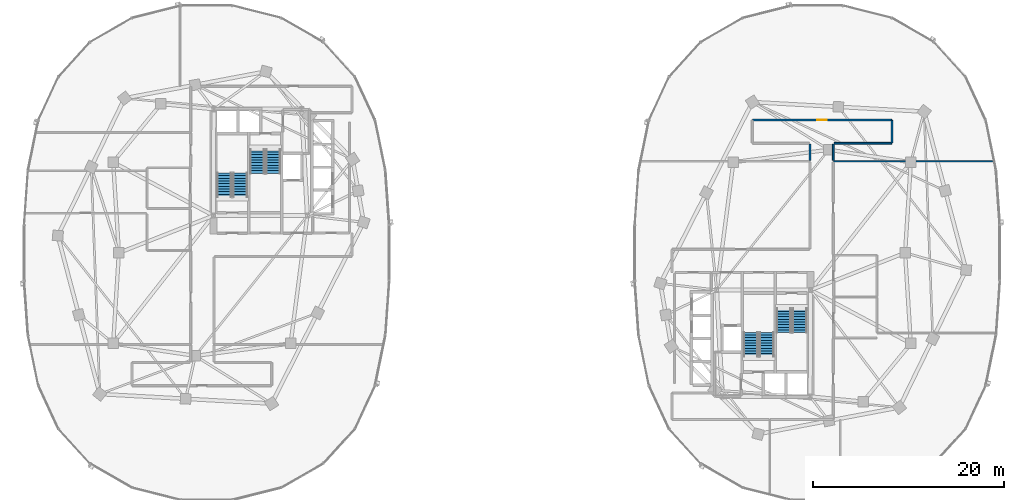
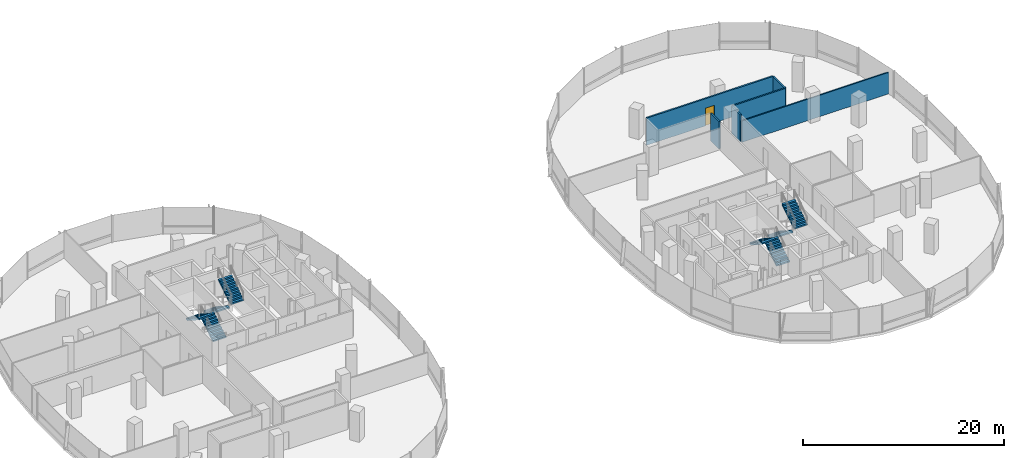
# One storey, part 14 of 21: 8 stair flights, 6 walls, 1 door, 1 opening, 4 elements without a shape of their own.
"""IFC4 building model written with IfcOpenShell, lengths in metres."""

from ifc_helpers import new_model, si_unit, direction, frame, frame_2d, origin, place, context, subcontext, project, spatial, polyline, rectangle, outline, extrude, material, layer, layer_set, type_object, element, fill, aggregate, save


model = new_model("IFC4")

# Units and contexts
model_context = context("Model", 3, precision=1e-05, world=origin(), true_north=direction((0.0, 1.0)))
body_context = subcontext(model_context, "Body", "Model", "MODEL_VIEW")
ifc_project = project(units=[si_unit("LENGTHUNIT", "METRE"), si_unit("AREAUNIT", "SQUARE_METRE"), si_unit("VOLUMEUNIT", "CUBIC_METRE"), si_unit("PLANEANGLEUNIT", "RADIAN"), si_unit("MASSUNIT", "GRAM", prefix="KILO"), si_unit("THERMODYNAMICTEMPERATUREUNIT", "KELVIN"), si_unit("POWERUNIT", "WATT")], contexts=[model_context])

# Site, building, storey
site_placement = place(None, origin())
site = spatial("IfcSite", under=ifc_project, at=site_placement, CompositionType="ELEMENT")
building_placement = place(site_placement, origin())
building = spatial("IfcBuilding", under=site, at=building_placement, Name="Cundina Bronze Exchange", CompositionType="ELEMENT")
storey_placement = place(building_placement, frame((0.0, 0.0, 107.0)))
storey = spatial("IfcBuildingStorey", under=building, at=storey_placement, Name="L27", CompositionType="ELEMENT", Elevation=107.0)

# Wall, opening, door
ifc_material_1 = material(Name="Gypsum Fireboard Partition EI120")
ifc_layer_1 = layer(ifc_material_1, 0.179931640625, Name="Gypsum Fireboard Partition EI120")
ifc_layer_set_1 = layer_set([ifc_layer_1], Name="Gypsum Fireboard Partition EI120")
wall_type_1 = type_object("IfcWallType", Name="WL-COR-180", PredefinedType="PARTITIONING", material=ifc_layer_set_1)
wall_1_placement = place(storey_placement, frame((39.778564453125, 13.919921875, 0.0), z_axis=(0.0, 0.0, 1.0), x_axis=(-1.0, 0.0, 0.0)))
wall_1 = element("IfcWall", 1, at=wall_1_placement, inside=storey, type_object=wall_type_1, Name="L27 Interior Partition 065", PredefinedType="PARTITIONING", context=body_context, shape_type="SweptSolid", body=[
    extrude(rectangle(XDim=14.55712890625, YDim=0.179931640625, at=frame_2d((7.278564453125, 0.0))), origin(), (0.0, 0.0, 1.0), 3.300048828125),
])
opening_placement = place(wall_1_placement, frame((6.778564453125, 0.0, 0.0)))
opening = element("IfcOpeningElement", 2, at=opening_placement, cuts=wall_1, Name="Opening DO-01", PredefinedType="OPENING", context=body_context, shape_type="SweptSolid", body=[
    extrude(rectangle(XDim=1.0, YDim=2.14990234375, at=frame_2d((0.5, 1.074951171875))), frame((0.0, 0.099853515625, 0.0), z_axis=(0.0, -1.0, 0.0), x_axis=(1.0, 0.0, 0.0)), (0.0, 0.0, 1.0), 0.199951171875),
])
ifc_material_2 = material(Name="Solid Andean Oak Timber Grade A", Category="wood")
door_type = type_object("IfcDoorType", Name="DR-OFF-1000", OperationType="NOTDEFINED", PredefinedType="DOOR", material=ifc_material_2)
door_placement = place(opening_placement, origin())
door = element("IfcDoor", 3, at=door_placement, inside=storey, type_object=door_type, Name="L27 Interior Door 065", OperationType="SINGLE_SWING_RIGHT", OverallHeight=2.14990234375, OverallWidth=1.0, PredefinedType="DOOR", context=body_context, shape_type="SweptSolid", body=[
    extrude(rectangle(XDim=1.0, YDim=2.14990234375, at=frame_2d((0.5, 1.074951171875))), frame((0.0, 0.02490234375, 0.0), z_axis=(0.0, -1.0, 0.0), x_axis=(1.0, 0.0, 0.0)), (0.0, 0.0, 1.0), 0.050048828125),
])
fill(opening, door)

# Walls
wall_2_placement = place(storey_placement, frame((33.75, 11.47998046875, 0.0), z_axis=(0.0, 0.0, 1.0), x_axis=(1.0, 0.0, 0.0)))
element("IfcWall", 4, at=wall_2_placement, inside=storey, type_object=wall_type_1, Name="L27 Interior Partition 066", PredefinedType="PARTITIONING", context=body_context, shape_type="SweptSolid", body=[
    extrude(rectangle(XDim=6.028564453125, YDim=0.179931640625, at=frame_2d((3.01416015625, 0.0))), origin(), (0.0, 0.0, 1.0), 3.300048828125),
])
wall_3_placement = place(storey_placement, frame((39.820068359375, 11.521484375, 0.0), z_axis=(0.0, 0.0, 1.0), x_axis=(0.0, 1.0, 0.0)))
element("IfcWall", 5, at=wall_3_placement, inside=storey, type_object=wall_type_1, Name="L27 Interior Partition 068", PredefinedType="PARTITIONING", context=body_context, shape_type="SweptSolid", body=[
    extrude(rectangle(XDim=2.35693359375, YDim=0.179931640625, at=frame_2d((1.178466796875, 0.0))), origin(), (0.0, 0.0, 1.0), 3.300048828125),
])
for number, where, z_axis, x_axis, name in (
    (6, (33.669921875, 9.68994140625, 0.0), (0.0, 0.0, 1.0), (0.0, 1.0, 0.0), "L27 Interior Partition 070"),
    (7, (31.22998046875, 11.39990234375, 0.0), (0.0, 0.0, 1.0), (0.0, -1.0, 0.0), "L27 Interior Partition 071"),
):
    element("IfcWall", number, at=place(storey_placement, frame(where, z_axis=z_axis, x_axis=x_axis)), inside=storey, type_object=wall_type_1, Name=name, PredefinedType="PARTITIONING", context=body_context, shape_type="SweptSolid", body=[
        extrude(rectangle(XDim=1.7099609375, YDim=0.179931640625, at=frame_2d((0.85498046875, 0.0))), origin(), (0.0, 0.0, 1.0), 3.300048828125),
    ])
ifc_material_3 = material(Name="Gypsum Acoustic Partition EI60")
ifc_layer_2 = layer(ifc_material_3, 0.14990234375, Name="Gypsum Acoustic Partition EI60")
ifc_layer_set_2 = layer_set([ifc_layer_2], Name="Gypsum Acoustic Partition EI60")
wall_type_2 = type_object("IfcWallType", Name="WL-TEN-150", PredefinedType="PARTITIONING", material=ifc_layer_set_2)
wall_4_placement = place(storey_placement, frame((33.699951171875, 9.60009765625, 0.0), z_axis=(0.0, 0.0, 1.0), x_axis=(1.0, 0.0, 0.0)))
element("IfcWall", 8, at=wall_4_placement, inside=storey, type_object=wall_type_2, Name="L27 Interior Partition 052", PredefinedType="PARTITIONING", context=body_context, shape_type="SweptSolid", body=[
    extrude(rectangle(XDim=16.90966796875, YDim=0.14990234375, at=frame_2d((8.454833984375, 0.0))), origin(), (0.0, 0.0, 1.0), 2.60498046875),
])

# Stair, stair flights
ifc_material_4 = material(Name="Concrete C40/50", Category="concrete")
stair_type = type_object("IfcStairType", Name="STR-OFF-360", PredefinedType="HALF_TURN_STAIR", material=ifc_material_4)
stair_1_placement = place(storey_placement, origin())
stair_1 = element("IfcStair", 9, at=stair_1_placement, inside=storey, type_object=stair_type, Name="L27 Smokeproof Exit Stair W1", PredefinedType="HALF_TURN_STAIR")
stair_flight_type = type_object("IfcStairFlightType", Name="FLG-OFF-180", PredefinedType="STRAIGHT", material=ifc_material_4)
stair_flight_1_placement = place(storey_placement, frame((-28.489990234375, 5.85009765625, 0.0), z_axis=(0.0, 0.0, 1.0), x_axis=(0.0, 1.0, 0.0)))
stair_flight_1 = element("IfcStairFlight", 10, at=stair_flight_1_placement, type_object=stair_flight_type, Name="ST-W1 flight 1", NumberOfRisers=10, NumberOfTreads=9, PredefinedType="STRAIGHT", RiserHeight=0.18, TreadLength=0.28, context=body_context, shape_type="SweptSolid", body=[
    extrude(outline(polyline([(0.0, 0.0), (0.0, 0.179931640625), (0.280029296875, 0.179931640625), (0.280029296875, 0.360107421875), (0.56005859375, 0.360107421875), (0.56005859375, 0.5400390625), (0.840087890625, 0.5400390625), (0.840087890625, 0.719970703125), (1.1201171875, 0.719970703125), (1.1201171875, 0.89990234375), (1.39990234375, 0.89990234375), (1.39990234375, 1.080078125), (1.679931640625, 1.080078125), (1.679931640625, 1.260009765625), (1.9599609375, 1.260009765625), (1.9599609375, 1.43994140625), (2.239990234375, 1.43994140625), (2.239990234375, 1.6201171875), (2.52001953125, 1.6201171875), (2.52001953125, 1.800048828125), (2.52001953125, 1.44189453125), (0.277099609375, 0.0), (0.0, 0.0)])), frame((0.0, 0.75, 0.0), z_axis=(0.0, -1.0, 0.0), x_axis=(1.0, 0.0, 0.0)), (0.0, 0.0, 1.0), 1.5),
])
stair_flight_2_placement = place(storey_placement, frame((-30.14990234375, 8.3701171875, 1.800048828125), z_axis=(0.0, 0.0, 1.0), x_axis=(0.0, -1.0, 0.0)))
stair_flight_2 = element("IfcStairFlight", 11, at=stair_flight_2_placement, type_object=stair_flight_type, Name="ST-W1 flight 2", NumberOfRisers=10, NumberOfTreads=9, PredefinedType="STRAIGHT", RiserHeight=0.18, TreadLength=0.28, context=body_context, shape_type="SweptSolid", body=[
    extrude(outline(polyline([(0.0, 0.0), (0.0, 0.179931640625), (0.280029296875, 0.179931640625), (0.280029296875, 0.360107421875), (0.56005859375, 0.360107421875), (0.56005859375, 0.5400390625), (0.840087890625, 0.5400390625), (0.840087890625, 0.719970703125), (1.1201171875, 0.719970703125), (1.1201171875, 0.89990234375), (1.39990234375, 0.89990234375), (1.39990234375, 1.080078125), (1.679931640625, 1.080078125), (1.679931640625, 1.260009765625), (1.9599609375, 1.260009765625), (1.9599609375, 1.43994140625), (2.239990234375, 1.43994140625), (2.239990234375, 1.6201171875), (2.52001953125, 1.6201171875), (2.52001953125, 1.800048828125), (2.52001953125, 1.44189453125), (0.277099609375, 0.0), (0.0, 0.0)])), frame((0.0, 0.75, 0.0), z_axis=(0.0, -1.0, 0.0), x_axis=(1.0, 0.0, 0.0)), (0.0, 0.0, 1.0), 1.5),
])
aggregate(stair_1, [stair_flight_1, stair_flight_2])

stair_2_placement = place(storey_placement, origin())
stair_2 = element("IfcStair", 12, at=stair_2_placement, inside=storey, type_object=stair_type, Name="L27 Smokeproof Exit Stair W2", PredefinedType="HALF_TURN_STAIR")
stair_flight_3_placement = place(storey_placement, frame((-26.68994140625, 10.85009765625, 0.0), z_axis=(0.0, 0.0, 1.0), x_axis=(0.0, -1.0, 0.0)))
stair_flight_3 = element("IfcStairFlight", 13, at=stair_flight_3_placement, type_object=stair_flight_type, Name="ST-W2 flight 1", NumberOfRisers=10, NumberOfTreads=9, PredefinedType="STRAIGHT", RiserHeight=0.18, TreadLength=0.28, context=body_context, shape_type="SweptSolid", body=[
    extrude(outline(polyline([(0.0, 0.0), (0.0, 0.179931640625), (0.280029296875, 0.179931640625), (0.280029296875, 0.360107421875), (0.56005859375, 0.360107421875), (0.56005859375, 0.5400390625), (0.840087890625, 0.5400390625), (0.840087890625, 0.719970703125), (1.1201171875, 0.719970703125), (1.1201171875, 0.89990234375), (1.39990234375, 0.89990234375), (1.39990234375, 1.080078125), (1.679931640625, 1.080078125), (1.679931640625, 1.260009765625), (1.9599609375, 1.260009765625), (1.9599609375, 1.43994140625), (2.239990234375, 1.43994140625), (2.239990234375, 1.6201171875), (2.52001953125, 1.6201171875), (2.52001953125, 1.800048828125), (2.52001953125, 1.44189453125), (0.277099609375, 0.0), (0.0, 0.0)])), frame((0.0, 0.75, 0.0), z_axis=(0.0, -1.0, 0.0), x_axis=(1.0, 0.0, 0.0)), (0.0, 0.0, 1.0), 1.5),
])
stair_flight_4_placement = place(storey_placement, frame((-25.030029296875, 8.330078125, 1.800048828125), z_axis=(0.0, 0.0, 1.0), x_axis=(0.0, 1.0, 0.0)))
stair_flight_4 = element("IfcStairFlight", 14, at=stair_flight_4_placement, type_object=stair_flight_type, Name="ST-W2 flight 2", NumberOfRisers=10, NumberOfTreads=9, PredefinedType="STRAIGHT", RiserHeight=0.18, TreadLength=0.28, context=body_context, shape_type="SweptSolid", body=[
    extrude(outline(polyline([(0.0, 0.0), (0.0, 0.179931640625), (0.280029296875, 0.179931640625), (0.280029296875, 0.360107421875), (0.56005859375, 0.360107421875), (0.56005859375, 0.5400390625), (0.840087890625, 0.5400390625), (0.840087890625, 0.719970703125), (1.1201171875, 0.719970703125), (1.1201171875, 0.89990234375), (1.39990234375, 0.89990234375), (1.39990234375, 1.080078125), (1.679931640625, 1.080078125), (1.679931640625, 1.260009765625), (1.9599609375, 1.260009765625), (1.9599609375, 1.43994140625), (2.239990234375, 1.43994140625), (2.239990234375, 1.6201171875), (2.52001953125, 1.6201171875), (2.52001953125, 1.800048828125), (2.52001953125, 1.44189453125), (0.277099609375, 0.0), (0.0, 0.0)])), frame((0.0, 0.75, 0.0), z_axis=(0.0, -1.0, 0.0), x_axis=(1.0, 0.0, 0.0)), (0.0, 0.0, 1.0), 1.5),
])
aggregate(stair_2, [stair_flight_3, stair_flight_4])

stair_3_placement = place(storey_placement, origin())
stair_3 = element("IfcStair", 15, at=stair_3_placement, inside=storey, type_object=stair_type, Name="L27 Smokeproof Exit Stair E1", PredefinedType="HALF_TURN_STAIR")
stair_flight_5_placement = place(storey_placement, frame((28.489990234375, -5.85009765625, 0.0), z_axis=(0.0, 0.0, 1.0), x_axis=(0.0, -1.0, 0.0)))
stair_flight_5 = element("IfcStairFlight", 16, at=stair_flight_5_placement, type_object=stair_flight_type, Name="ST-E1 flight 1", NumberOfRisers=10, NumberOfTreads=9, PredefinedType="STRAIGHT", RiserHeight=0.18, TreadLength=0.28, context=body_context, shape_type="SweptSolid", body=[
    extrude(outline(polyline([(0.0, 0.0), (0.0, 0.179931640625), (0.280029296875, 0.179931640625), (0.280029296875, 0.360107421875), (0.56005859375, 0.360107421875), (0.56005859375, 0.5400390625), (0.840087890625, 0.5400390625), (0.840087890625, 0.719970703125), (1.1201171875, 0.719970703125), (1.1201171875, 0.89990234375), (1.39990234375, 0.89990234375), (1.39990234375, 1.080078125), (1.679931640625, 1.080078125), (1.679931640625, 1.260009765625), (1.9599609375, 1.260009765625), (1.9599609375, 1.43994140625), (2.239990234375, 1.43994140625), (2.239990234375, 1.6201171875), (2.52001953125, 1.6201171875), (2.52001953125, 1.800048828125), (2.52001953125, 1.44189453125), (0.277099609375, 0.0), (0.0, 0.0)])), frame((0.0, 0.75, 0.0), z_axis=(0.0, -1.0, 0.0), x_axis=(1.0, 0.0, 0.0)), (0.0, 0.0, 1.0), 1.5),
])
stair_flight_6_placement = place(storey_placement, frame((30.14990234375, -8.3701171875, 1.800048828125), z_axis=(0.0, 0.0, 1.0), x_axis=(0.0, 1.0, 0.0)))
stair_flight_6 = element("IfcStairFlight", 17, at=stair_flight_6_placement, type_object=stair_flight_type, Name="ST-E1 flight 2", NumberOfRisers=10, NumberOfTreads=9, PredefinedType="STRAIGHT", RiserHeight=0.18, TreadLength=0.28, context=body_context, shape_type="SweptSolid", body=[
    extrude(outline(polyline([(0.0, 0.0), (0.0, 0.179931640625), (0.280029296875, 0.179931640625), (0.280029296875, 0.360107421875), (0.56005859375, 0.360107421875), (0.56005859375, 0.5400390625), (0.840087890625, 0.5400390625), (0.840087890625, 0.719970703125), (1.1201171875, 0.719970703125), (1.1201171875, 0.89990234375), (1.39990234375, 0.89990234375), (1.39990234375, 1.080078125), (1.679931640625, 1.080078125), (1.679931640625, 1.260009765625), (1.9599609375, 1.260009765625), (1.9599609375, 1.43994140625), (2.239990234375, 1.43994140625), (2.239990234375, 1.6201171875), (2.52001953125, 1.6201171875), (2.52001953125, 1.800048828125), (2.52001953125, 1.44189453125), (0.277099609375, 0.0), (0.0, 0.0)])), frame((0.0, 0.75, 0.0), z_axis=(0.0, -1.0, 0.0), x_axis=(1.0, 0.0, 0.0)), (0.0, 0.0, 1.0), 1.5),
])
aggregate(stair_3, [stair_flight_5, stair_flight_6])

stair_4_placement = place(storey_placement, origin())
stair_4 = element("IfcStair", 18, at=stair_4_placement, inside=storey, type_object=stair_type, Name="L27 Smokeproof Exit Stair E2", PredefinedType="HALF_TURN_STAIR")
stair_flight_7_placement = place(storey_placement, frame((26.68994140625, -10.85009765625, 0.0), z_axis=(0.0, 0.0, 1.0), x_axis=(0.0, 1.0, 0.0)))
stair_flight_7 = element("IfcStairFlight", 19, at=stair_flight_7_placement, type_object=stair_flight_type, Name="ST-E2 flight 1", NumberOfRisers=10, NumberOfTreads=9, PredefinedType="STRAIGHT", RiserHeight=0.18, TreadLength=0.28, context=body_context, shape_type="SweptSolid", body=[
    extrude(outline(polyline([(0.0, 0.0), (0.0, 0.179931640625), (0.280029296875, 0.179931640625), (0.280029296875, 0.360107421875), (0.56005859375, 0.360107421875), (0.56005859375, 0.5400390625), (0.840087890625, 0.5400390625), (0.840087890625, 0.719970703125), (1.1201171875, 0.719970703125), (1.1201171875, 0.89990234375), (1.39990234375, 0.89990234375), (1.39990234375, 1.080078125), (1.679931640625, 1.080078125), (1.679931640625, 1.260009765625), (1.9599609375, 1.260009765625), (1.9599609375, 1.43994140625), (2.239990234375, 1.43994140625), (2.239990234375, 1.6201171875), (2.52001953125, 1.6201171875), (2.52001953125, 1.800048828125), (2.52001953125, 1.44189453125), (0.277099609375, 0.0), (0.0, 0.0)])), frame((0.0, 0.75, 0.0), z_axis=(0.0, -1.0, 0.0), x_axis=(1.0, 0.0, 0.0)), (0.0, 0.0, 1.0), 1.5),
])
stair_flight_8_placement = place(storey_placement, frame((25.030029296875, -8.330078125, 1.800048828125), z_axis=(0.0, 0.0, 1.0), x_axis=(0.0, -1.0, 0.0)))
stair_flight_8 = element("IfcStairFlight", 20, at=stair_flight_8_placement, type_object=stair_flight_type, Name="ST-E2 flight 2", NumberOfRisers=10, NumberOfTreads=9, PredefinedType="STRAIGHT", RiserHeight=0.18, TreadLength=0.28, context=body_context, shape_type="SweptSolid", body=[
    extrude(outline(polyline([(0.0, 0.0), (0.0, 0.179931640625), (0.280029296875, 0.179931640625), (0.280029296875, 0.360107421875), (0.56005859375, 0.360107421875), (0.56005859375, 0.5400390625), (0.840087890625, 0.5400390625), (0.840087890625, 0.719970703125), (1.1201171875, 0.719970703125), (1.1201171875, 0.89990234375), (1.39990234375, 0.89990234375), (1.39990234375, 1.080078125), (1.679931640625, 1.080078125), (1.679931640625, 1.260009765625), (1.9599609375, 1.260009765625), (1.9599609375, 1.43994140625), (2.239990234375, 1.43994140625), (2.239990234375, 1.6201171875), (2.52001953125, 1.6201171875), (2.52001953125, 1.800048828125), (2.52001953125, 1.44189453125), (0.277099609375, 0.0), (0.0, 0.0)])), frame((0.0, 0.75, 0.0), z_axis=(0.0, -1.0, 0.0), x_axis=(1.0, 0.0, 0.0)), (0.0, 0.0, 1.0), 1.5),
])
aggregate(stair_4, [stair_flight_7, stair_flight_8])

save(model, "model.ifc")
